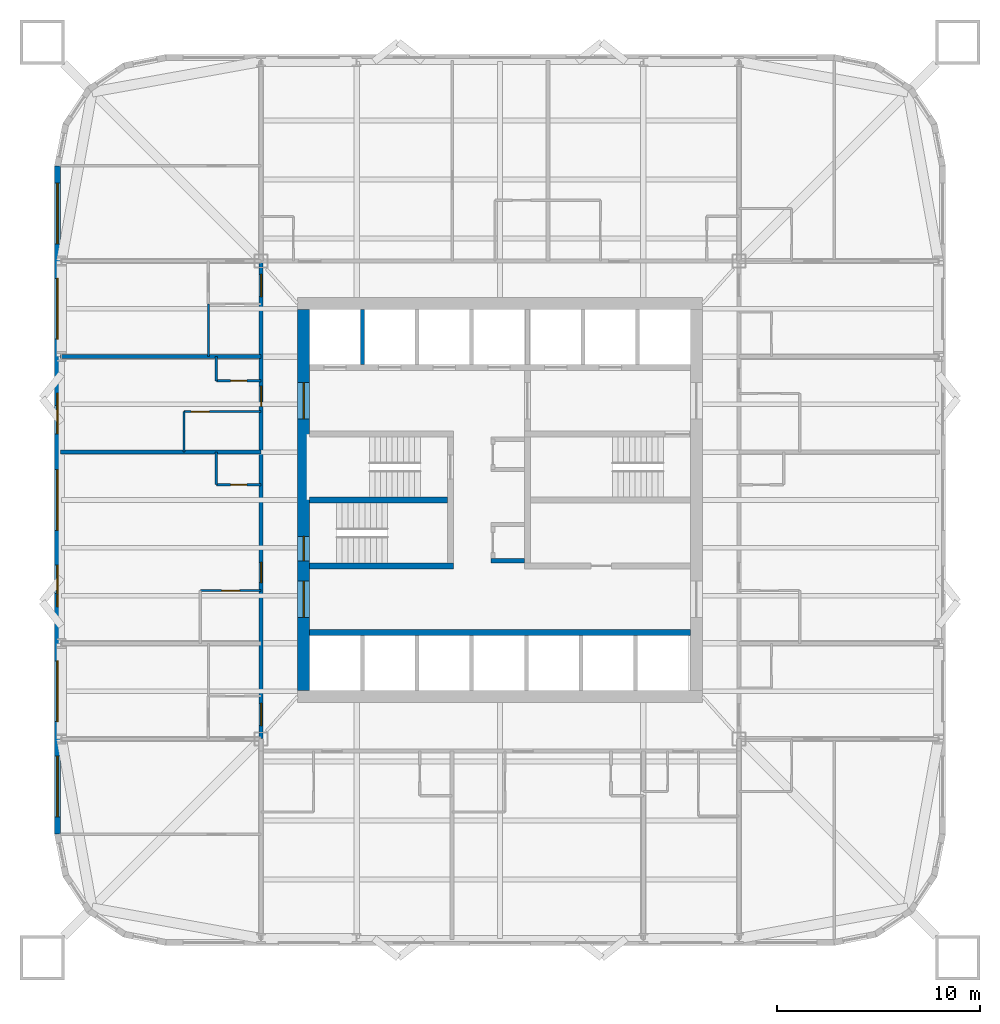
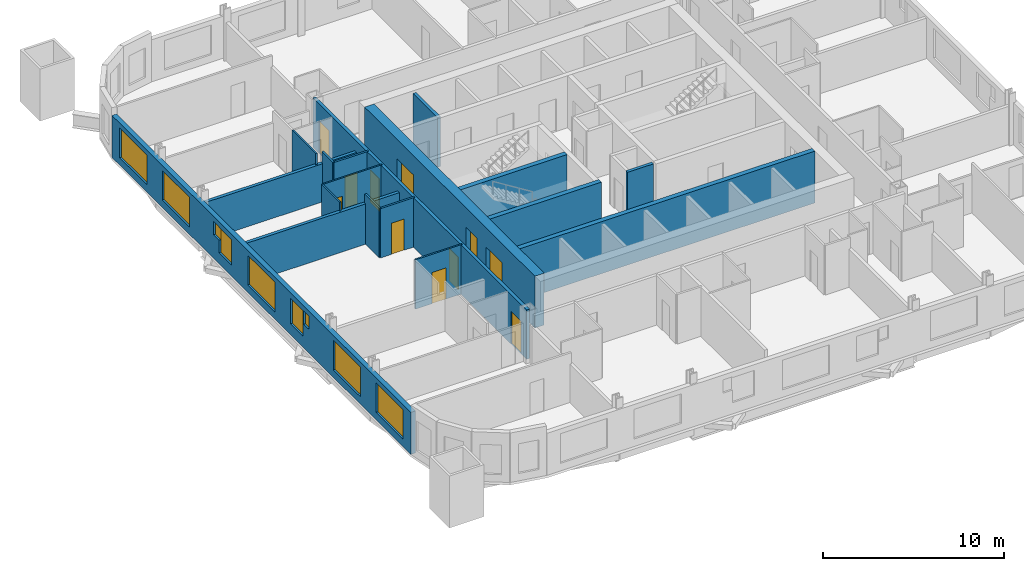
# One storey, part 4 of 10: 18 walls, 11 doors, 9 windows, 20 openings.
"""IFC4 building model written with IfcOpenShell, lengths in metres."""

from ifc_helpers import new_model, si_unit, direction, frame, frame_2d, origin, place, context, subcontext, project, spatial, rectangle, extrude, material, layer, layer_set, type_object, element, fill, save


model = new_model("IFC4")

# Units and contexts
model_context = context("Model", 3, precision=1e-05, world=origin(), true_north=direction((0.0, 1.0)))
body_context = subcontext(model_context, "Body", "Model", "MODEL_VIEW")
ifc_project = project(units=[si_unit("LENGTHUNIT", "METRE"), si_unit("AREAUNIT", "SQUARE_METRE"), si_unit("VOLUMEUNIT", "CUBIC_METRE"), si_unit("PLANEANGLEUNIT", "RADIAN"), si_unit("MASSUNIT", "GRAM", prefix="KILO")], contexts=[model_context])

# Site, building, storey
site_placement = place(None, origin())
site = spatial("IfcSite", under=ifc_project, at=site_placement, CompositionType="ELEMENT")
building_placement = place(site_placement, origin())
building = spatial("IfcBuilding", under=site, at=building_placement, Name="Turquesa Mirador Hotel Tower", CompositionType="ELEMENT")
storey_placement = place(building_placement, frame((0.0, 0.0, 63.5)))
storey = spatial("IfcBuildingStorey", under=building, at=storey_placement, Name="L16", CompositionType="ELEMENT", Elevation=63.5)

# Wall, opening, door
ifc_material_1 = material(Name="Gypsum board on steel studs", Category="steel")
ifc_layer_1 = layer(ifc_material_1, 0.10009765625)
ifc_layer_set_1 = layer_set([ifc_layer_1], Name="BATHROOM WALL 100")
wall_type_1 = type_object("IfcWallType", Name="BATHROOM WALL 100", PredefinedType="PARTITIONING", material=ifc_layer_set_1)
wall_1_placement = place(storey_placement, frame((40.199951171875, 40.52001953125, 0.0), z_axis=(0.0, 0.0, 1.0), x_axis=(1.0, 0.0, 0.0)))
wall_1 = element("IfcWall", 1, at=wall_1_placement, inside=storey, type_object=wall_type_1, Name="Partition L16 013", PredefinedType="PARTITIONING", context=body_context, shape_type="SweptSolid", body=[
    extrude(rectangle(XDim=3.0, YDim=0.10009765625, at=frame_2d((1.5, 0.0))), origin(), (0.0, 0.0, 1.0), 3.330078125),
])
opening_1_placement = place(wall_1_placement, frame((1.050048828125, 0.0, 0.0)))
opening_1 = element("IfcOpeningElement", 2, at=opening_1_placement, cuts=wall_1, Name="Opening D02", PredefinedType="OPENING", context=body_context, shape_type="SweptSolid", body=[
    extrude(rectangle(XDim=0.89990234375, YDim=2.10009765625, at=frame_2d((0.449951171875, 1.050048828125))), frame((0.0, 0.06005859375, 0.0), z_axis=(0.0, -1.0, 0.0), x_axis=(1.0, 0.0, 0.0)), (0.0, 0.0, 1.0), 0.1201171875),
])
ifc_material_2 = material(Name="Timber veneered door", Category="wood")
door_type_1 = type_object("IfcDoorType", Name="DOOR 900X2100 EN-SUITE", OperationType="SINGLE_SWING_RIGHT", PredefinedType="DOOR", material=ifc_material_2)
door_1_placement = place(opening_1_placement, origin())
door_1 = element("IfcDoor", 3, at=door_1_placement, inside=storey, type_object=door_type_1, Name="Door 1608B", OperationType="SINGLE_SWING_RIGHT", OverallHeight=2.10009765625, OverallWidth=0.89990234375, PredefinedType="DOOR", context=body_context, shape_type="SweptSolid", body=[
    extrude(rectangle(XDim=0.89990234375, YDim=2.10009765625, at=frame_2d((0.449951171875, 1.050048828125))), frame((0.0, 0.02490234375, 0.0), z_axis=(0.0, -1.0, 0.0), x_axis=(1.0, 0.0, 0.0)), (0.0, 0.0, 1.0), 0.050048828125),
])
fill(opening_1, door_1)

wall_2_placement = place(storey_placement, frame((39.39990234375, 49.360107421875, 0.0), z_axis=(0.0, 0.0, 1.0), x_axis=(1.0, 0.0, 0.0)))
wall_2 = element("IfcWall", 4, at=wall_2_placement, inside=storey, type_object=wall_type_1, Name="Partition L16 032", PredefinedType="PARTITIONING", context=body_context, shape_type="SweptSolid", body=[
    extrude(rectangle(XDim=3.800048828125, YDim=0.10009765625, at=frame_2d((1.89990234375, 0.0))), origin(), (0.0, 0.0, 1.0), 3.330078125),
])
opening_2_placement = place(wall_2_placement, frame((0.35009765625, 0.0, 0.0)))
opening_2 = element("IfcOpeningElement", 5, at=opening_2_placement, cuts=wall_2, Name="Opening D02", PredefinedType="OPENING", context=body_context, shape_type="SweptSolid", body=[
    extrude(rectangle(XDim=0.89990234375, YDim=2.10009765625, at=frame_2d((0.449951171875, 1.050048828125))), frame((0.0, 0.06005859375, 0.0), z_axis=(0.0, -1.0, 0.0), x_axis=(1.0, 0.0, 0.0)), (0.0, 0.0, 1.0), 0.1201171875),
])
door_2_placement = place(opening_2_placement, origin())
door_2 = element("IfcDoor", 6, at=door_2_placement, inside=storey, type_object=door_type_1, Name="Door 1609B", OperationType="SINGLE_SWING_RIGHT", OverallHeight=2.10009765625, OverallWidth=0.89990234375, PredefinedType="DOOR", context=body_context, shape_type="SweptSolid", body=[
    extrude(rectangle(XDim=0.89990234375, YDim=2.10009765625, at=frame_2d((0.449951171875, 1.050048828125))), frame((0.0, 0.02490234375, 0.0), z_axis=(0.0, -1.0, 0.0), x_axis=(1.0, 0.0, 0.0)), (0.0, 0.0, 1.0), 0.050048828125),
])
fill(opening_2, door_2)

# Walls
wall_3_placement = place(storey_placement, frame((40.60009765625, 52.080078125, 0.0), z_axis=(0.0, 0.0, 1.0), x_axis=(0.0, 1.0, 0.0)))
element("IfcWall", 7, at=wall_3_placement, inside=storey, type_object=wall_type_1, Name="Partition L16 047", PredefinedType="PARTITIONING", context=body_context, shape_type="SweptSolid", body=[
    extrude(rectangle(XDim=2.599853515625, YDim=0.10009765625, at=frame_2d((1.2998046875, 0.0))), origin(), (0.0, 0.0, 1.0), 3.330078125),
])
wall_4_placement = place(storey_placement, frame((39.39990234375, 47.360107421875, 0.0), z_axis=(0.0, 0.0, 1.0), x_axis=(0.0, 1.0, 0.0)))
element("IfcWall", 8, at=wall_4_placement, inside=storey, type_object=wall_type_1, Name="Partition L16 051", PredefinedType="PARTITIONING", context=body_context, shape_type="SweptSolid", body=[
    extrude(rectangle(XDim=2.0, YDim=0.10009765625, at=frame_2d((1.0, 0.0))), origin(), (0.0, 0.0, 1.0), 3.330078125),
])
ifc_material_3 = material(Name="Concrete C50/60", Category="concrete")
ifc_layer_2 = layer(ifc_material_3, 0.300048828125)
ifc_layer_set_2 = layer_set([ifc_layer_2], Name="CORE INNER WALL 300")
wall_type_2 = type_object("IfcWallType", Name="CORE INNER WALL 300", PredefinedType="SHEAR", material=ifc_layer_set_2)
wall_5_placement = place(storey_placement, frame((45.60009765625, 38.449951171875, 0.0), z_axis=(0.0, 0.0, 1.0), x_axis=(1.0, 0.0, 0.0)))
element("IfcWall", 9, at=wall_5_placement, inside=storey, type_object=wall_type_2, Name="Core wall SL", PredefinedType="SHEAR", context=body_context, shape_type="SweptSolid", body=[
    extrude(rectangle(XDim=18.7998046875, YDim=0.300048828125, at=frame_2d((9.39990234375, 0.0))), origin(), (0.0, 0.0, 1.0), 3.5),
])
wall_6_placement = place(storey_placement, frame((45.60009765625, 41.75, 0.0), z_axis=(0.0, 0.0, 1.0), x_axis=(1.0, 0.0, 0.0)))
element("IfcWall", 10, at=wall_6_placement, inside=storey, type_object=wall_type_2, Name="Core wall MS-W", PredefinedType="SHEAR", context=body_context, shape_type="SweptSolid", body=[
    extrude(rectangle(XDim=7.099853515625, YDim=0.300048828125, at=frame_2d((3.5498046875, 0.0))), origin(), (0.0, 0.0, 1.0), 3.5),
])
wall_7_placement = place(storey_placement, frame((45.60009765625, 45.0, 0.0), z_axis=(0.0, 0.0, 1.0), x_axis=(1.0, 0.0, 0.0)))
element("IfcWall", 11, at=wall_7_placement, inside=storey, type_object=wall_type_2, Name="Core wall M0-W", PredefinedType="SHEAR", context=body_context, shape_type="SweptSolid", body=[
    extrude(rectangle(XDim=6.7998046875, YDim=0.300048828125, at=frame_2d((3.39990234375, 0.0))), origin(), (0.0, 0.0, 1.0), 3.5),
])

# Wall, openings, doors
ifc_material_4 = material(Name="Concrete C50/60", Category="concrete")
ifc_layer_3 = layer(ifc_material_4, 0.60009765625)
ifc_layer_set_3 = layer_set([ifc_layer_3], Name="CORE WALL 600")
wall_type_3 = type_object("IfcWallType", Name="CORE WALL 600", PredefinedType="SHEAR", material=ifc_layer_set_3)
wall_8_placement = place(storey_placement, frame((45.300048828125, 35.60009765625, 0.0), z_axis=(0.0, 0.0, 1.0), x_axis=(0.0, 1.0, 0.0)))
wall_8 = element("IfcWall", 12, at=wall_8_placement, inside=storey, type_object=wall_type_3, Name="Core wall W", PredefinedType="SHEAR", context=body_context, shape_type="SweptSolid", body=[
    extrude(rectangle(XDim=18.7998046875, YDim=0.60009765625, at=frame_2d((9.39990234375, 0.0))), origin(), (0.0, 0.0, 1.0), 3.5),
])
opening_3_placement = place(wall_8_placement, frame((13.39990234375, 0.0, 0.0)))
opening_3 = element("IfcOpeningElement", 13, at=opening_3_placement, cuts=wall_8, Name="Opening D04", PredefinedType="OPENING", context=body_context, shape_type="SweptSolid", body=[
    extrude(rectangle(XDim=1.800048828125, YDim=2.199951171875, at=frame_2d((0.89990234375, 1.10009765625))), frame((0.0, 0.31005859375, 0.0), z_axis=(0.0, -1.0, 0.0), x_axis=(1.0, 0.0, 0.0)), (0.0, 0.0, 1.0), 0.6201171875),
])
opening_4_placement = place(wall_8_placement, frame((3.60009765625, 0.0, 0.0)))
opening_4 = element("IfcOpeningElement", 14, at=opening_4_placement, cuts=wall_8, Name="Opening D04", PredefinedType="OPENING", context=body_context, shape_type="SweptSolid", body=[
    extrude(rectangle(XDim=1.800048828125, YDim=2.199951171875, at=frame_2d((0.89990234375, 1.10009765625))), frame((0.0, 0.31005859375, 0.0), z_axis=(0.0, -1.0, 0.0), x_axis=(1.0, 0.0, 0.0)), (0.0, 0.0, 1.0), 0.6201171875),
])
opening_5_placement = place(wall_8_placement, frame((6.39990234375, 0.0, 0.0)))
opening_5 = element("IfcOpeningElement", 15, at=opening_5_placement, cuts=wall_8, Name="Opening D03", PredefinedType="OPENING", context=body_context, shape_type="SweptSolid", body=[
    extrude(rectangle(XDim=1.199951171875, YDim=2.199951171875, at=frame_2d((0.60009765625, 1.10009765625))), frame((0.0, 0.31005859375, 0.0), z_axis=(0.0, -1.0, 0.0), x_axis=(1.0, 0.0, 0.0)), (0.0, 0.0, 1.0), 0.6201171875),
])
ifc_material_5 = material(Name="Steel fire door", Category="steel")
door_type_2 = type_object("IfcDoorType", Name="DOOR 1200X2200 STAIR", OperationType="SINGLE_SWING_LEFT", PredefinedType="DOOR", material=ifc_material_5)
door_3_placement = place(opening_5_placement, origin())
door_3 = element("IfcDoor", 16, at=door_3_placement, inside=storey, type_object=door_type_2, Name="Stair ST2 door", OperationType="SINGLE_SWING_LEFT", OverallHeight=2.199951171875, OverallWidth=1.199951171875, PredefinedType="DOOR", context=body_context, shape_type="SweptSolid", body=[
    extrude(rectangle(XDim=1.199951171875, YDim=2.199951171875, at=frame_2d((0.60009765625, 1.10009765625))), frame((0.0, 0.02490234375, 0.0), z_axis=(0.0, -1.0, 0.0), x_axis=(1.0, 0.0, 0.0)), (0.0, 0.0, 1.0), 0.050048828125),
])
fill(opening_5, door_3)
ifc_material_6 = material(Name="Steel fire door pair", Category="steel")
door_type_3 = type_object("IfcDoorType", Name="DOOR 1800X2200 PAIR", OperationType="DOUBLE_DOOR_SINGLE_SWING", PredefinedType="DOOR", material=ifc_material_6)
door_4_placement = place(opening_3_placement, origin())
door_4 = element("IfcDoor", 17, at=door_4_placement, inside=storey, type_object=door_type_3, Name="North lift lobby door", OperationType="DOUBLE_DOOR_SINGLE_SWING", OverallHeight=2.199951171875, OverallWidth=1.800048828125, PredefinedType="DOOR", context=body_context, shape_type="SweptSolid", body=[
    extrude(rectangle(XDim=1.800048828125, YDim=2.199951171875, at=frame_2d((0.89990234375, 1.10009765625))), frame((0.0, 0.02490234375, 0.0), z_axis=(0.0, -1.0, 0.0), x_axis=(1.0, 0.0, 0.0)), (0.0, 0.0, 1.0), 0.050048828125),
])
fill(opening_3, door_4)
door_5_placement = place(opening_4_placement, origin())
door_5 = element("IfcDoor", 18, at=door_5_placement, inside=storey, type_object=door_type_3, Name="South lift lobby door", OperationType="DOUBLE_DOOR_SINGLE_SWING", OverallHeight=2.199951171875, OverallWidth=1.800048828125, PredefinedType="DOOR", context=body_context, shape_type="SweptSolid", body=[
    extrude(rectangle(XDim=1.800048828125, YDim=2.199951171875, at=frame_2d((0.89990234375, 1.10009765625))), frame((0.0, 0.02490234375, 0.0), z_axis=(0.0, -1.0, 0.0), x_axis=(1.0, 0.0, 0.0)), (0.0, 0.0, 1.0), 0.050048828125),
])
fill(opening_4, door_5)

ifc_material_7 = material(Name="Fire-rated gypsum board on steel studs", Category="steel")
ifc_layer_4 = layer(ifc_material_7, 0.199951171875)
ifc_layer_set_4 = layer_set([ifc_layer_4], Name="CORRIDOR WALL 200")
wall_type_4 = type_object("IfcWallType", Name="CORRIDOR WALL 200", PredefinedType="PARTITIONING", material=ifc_layer_set_4)
wall_9_placement = place(storey_placement, frame((43.199951171875, 33.219970703125, 0.0), z_axis=(0.0, 0.0, 1.0), x_axis=(0.0, 1.0, 0.0)))
wall_9 = element("IfcWall", 19, at=wall_9_placement, inside=storey, type_object=wall_type_4, Name="Partition L16 041", PredefinedType="PARTITIONING", context=body_context, shape_type="SweptSolid", body=[
    extrude(rectangle(XDim=23.580078125, YDim=0.199951171875, at=frame_2d((11.7900390625, 0.0))), origin(), (0.0, 0.0, 1.0), 3.330078125),
])
opening_6_placement = place(wall_9_placement, frame((7.699951171875, 0.0, 0.0)))
opening_6 = element("IfcOpeningElement", 20, at=opening_6_placement, cuts=wall_9, Name="Opening D01", PredefinedType="OPENING", context=body_context, shape_type="SweptSolid", body=[
    extrude(rectangle(XDim=1.0, YDim=2.199951171875, at=frame_2d((0.5, 1.10009765625))), frame((0.0, 0.10986328125, 0.0), z_axis=(0.0, -1.0, 0.0), x_axis=(1.0, 0.0, 0.0)), (0.0, 0.0, 1.0), 0.219970703125),
])
opening_7_placement = place(wall_9_placement, frame((16.39990234375, 0.0, 0.0)))
opening_7 = element("IfcOpeningElement", 21, at=opening_7_placement, cuts=wall_9, Name="Opening D01", PredefinedType="OPENING", context=body_context, shape_type="SweptSolid", body=[
    extrude(rectangle(XDim=1.0, YDim=2.199951171875, at=frame_2d((0.5, 1.10009765625))), frame((0.0, 0.10986328125, 0.0), z_axis=(0.0, -1.0, 0.0), x_axis=(1.0, 0.0, 0.0)), (0.0, 0.0, 1.0), 0.219970703125),
])
opening_8_placement = place(wall_9_placement, frame((21.820068359375, 0.0, 0.0)))
opening_8 = element("IfcOpeningElement", 22, at=opening_8_placement, cuts=wall_9, Name="Opening D15", PredefinedType="OPENING", context=body_context, shape_type="SweptSolid", body=[
    extrude(rectangle(XDim=1.10009765625, YDim=2.199951171875, at=frame_2d((0.550048828125, 1.10009765625))), frame((0.0, 0.10986328125, 0.0), z_axis=(0.0, -1.0, 0.0), x_axis=(1.0, 0.0, 0.0)), (0.0, 0.0, 1.0), 0.219970703125),
])
opening_9_placement = place(wall_9_placement, frame((0.639892578125, 0.0, 0.0)))
opening_9 = element("IfcOpeningElement", 23, at=opening_9_placement, cuts=wall_9, Name="Opening D15", PredefinedType="OPENING", context=body_context, shape_type="SweptSolid", body=[
    extrude(rectangle(XDim=1.10009765625, YDim=2.199951171875, at=frame_2d((0.550048828125, 1.10009765625))), frame((0.0, 0.10986328125, 0.0), z_axis=(0.0, -1.0, 0.0), x_axis=(1.0, 0.0, 0.0)), (0.0, 0.0, 1.0), 0.219970703125),
])
ifc_material_8 = material(Name="Timber veneered fire door", Category="wood")
door_type_4 = type_object("IfcDoorType", Name="DOOR 1000X2200 GUEST ENTRY", OperationType="SINGLE_SWING_LEFT", PredefinedType="DOOR", material=ifc_material_8)
door_6_placement = place(opening_6_placement, origin())
door_6 = element("IfcDoor", 24, at=door_6_placement, inside=storey, type_object=door_type_4, Name="Door 1608", OperationType="SINGLE_SWING_LEFT", OverallHeight=2.199951171875, OverallWidth=1.0, PredefinedType="DOOR", context=body_context, shape_type="SweptSolid", body=[
    extrude(rectangle(XDim=1.0, YDim=2.199951171875, at=frame_2d((0.5, 1.10009765625))), frame((0.0, 0.02490234375, 0.0), z_axis=(0.0, -1.0, 0.0), x_axis=(1.0, 0.0, 0.0)), (0.0, 0.0, 1.0), 0.050048828125),
])
fill(opening_6, door_6)
door_7_placement = place(opening_7_placement, origin())
door_7 = element("IfcDoor", 25, at=door_7_placement, inside=storey, type_object=door_type_4, Name="Door 1609", OperationType="SINGLE_SWING_LEFT", OverallHeight=2.199951171875, OverallWidth=1.0, PredefinedType="DOOR", context=body_context, shape_type="SweptSolid", body=[
    extrude(rectangle(XDim=1.0, YDim=2.199951171875, at=frame_2d((0.5, 1.10009765625))), frame((0.0, 0.02490234375, 0.0), z_axis=(0.0, -1.0, 0.0), x_axis=(1.0, 0.0, 0.0)), (0.0, 0.0, 1.0), 0.050048828125),
])
fill(opening_7, door_7)
ifc_material_9 = material(Name="Timber veneered fire door", Category="wood")
door_type_5 = type_object("IfcDoorType", Name="DOOR 1100X2200 SUITE ENTRY", OperationType="SINGLE_SWING_LEFT", PredefinedType="DOOR", material=ifc_material_9)
door_8_placement = place(opening_8_placement, origin())
door_8 = element("IfcDoor", 26, at=door_8_placement, inside=storey, type_object=door_type_5, Name="Door 1611H", OperationType="SINGLE_SWING_LEFT", OverallHeight=2.199951171875, OverallWidth=1.10009765625, PredefinedType="DOOR", context=body_context, shape_type="SweptSolid", body=[
    extrude(rectangle(XDim=1.10009765625, YDim=2.199951171875, at=frame_2d((0.550048828125, 1.10009765625))), frame((0.0, 0.02490234375, 0.0), z_axis=(0.0, -1.0, 0.0), x_axis=(1.0, 0.0, 0.0)), (0.0, 0.0, 1.0), 0.050048828125),
])
fill(opening_8, door_8)
door_9_placement = place(opening_9_placement, origin())
door_9 = element("IfcDoor", 27, at=door_9_placement, inside=storey, type_object=door_type_5, Name="Door 1612H", OperationType="SINGLE_SWING_LEFT", OverallHeight=2.199951171875, OverallWidth=1.10009765625, PredefinedType="DOOR", context=body_context, shape_type="SweptSolid", body=[
    extrude(rectangle(XDim=1.10009765625, YDim=2.199951171875, at=frame_2d((0.550048828125, 1.10009765625))), frame((0.0, 0.02490234375, 0.0), z_axis=(0.0, -1.0, 0.0), x_axis=(1.0, 0.0, 0.0)), (0.0, 0.0, 1.0), 0.050048828125),
])
fill(opening_9, door_9)

# Wall, openings, windows
ifc_material_10 = material(Name="Limestone cladding on concrete block", Category="masonry")
ifc_layer_5 = layer(ifc_material_10, 0.300048828125)
ifc_layer_set_5 = layer_set([ifc_layer_5], Name="FACADE WALL 300 STONE SCREEN")
wall_type_5 = type_object("IfcWallType", Name="FACADE WALL 300 STONE SCREEN", PredefinedType="SOLIDWALL", material=ifc_layer_set_5)
wall_10_placement = place(storey_placement, frame((33.14990234375, 61.5, 0.0), z_axis=(0.0, 0.0, 1.0), x_axis=(0.0, -1.0, 0.0)))
wall_10 = element("IfcWall", 28, at=wall_10_placement, inside=storey, type_object=wall_type_5, Name="Facade wall L16 14", PredefinedType="SOLIDWALL", context=body_context, shape_type="SweptSolid", body=[
    extrude(rectangle(XDim=33.0, YDim=0.300048828125, at=frame_2d((16.5, 0.0))), origin(), (0.0, 0.0, 1.0), 2.830078125),
])
opening_10_placement = place(wall_10_placement, frame((0.85009765625, 0.0, 0.5)))
opening_10 = element("IfcOpeningElement", 29, at=opening_10_placement, cuts=wall_10, Name="Opening WN1", PredefinedType="OPENING", context=body_context, shape_type="SweptSolid", body=[
    extrude(rectangle(XDim=3.0, YDim=2.0, at=frame_2d((1.5, 1.0))), frame((0.0, 0.159912109375, 0.0), z_axis=(0.0, -1.0, 0.0), x_axis=(1.0, 0.0, 0.0)), (0.0, 0.0, 1.0), 0.320068359375),
])
opening_11_placement = place(wall_10_placement, frame((5.56005859375, 0.0, 0.5)))
opening_11 = element("IfcOpeningElement", 30, at=opening_11_placement, cuts=wall_10, Name="Opening WN1", PredefinedType="OPENING", context=body_context, shape_type="SweptSolid", body=[
    extrude(rectangle(XDim=3.0, YDim=2.0, at=frame_2d((1.5, 1.0))), frame((0.0, 0.159912109375, 0.0), z_axis=(0.0, -1.0, 0.0), x_axis=(1.0, 0.0, 0.0)), (0.0, 0.0, 1.0), 0.320068359375),
])
opening_12_placement = place(wall_10_placement, frame((11.830078125, 0.0, 0.75)))
opening_12 = element("IfcOpeningElement", 31, at=opening_12_placement, cuts=wall_10, Name="Opening WN43", PredefinedType="OPENING", context=body_context, shape_type="SweptSolid", body=[
    extrude(rectangle(XDim=1.39990234375, YDim=1.699951171875, at=frame_2d((0.699951171875, 0.85009765625))), frame((0.0, 0.159912109375, 0.0), z_axis=(0.0, -1.0, 0.0), x_axis=(1.0, 0.0, 0.0)), (0.0, 0.0, 1.0), 0.320068359375),
])
opening_13_placement = place(wall_10_placement, frame((15.0, 0.0, 0.5)))
opening_13 = element("IfcOpeningElement", 32, at=opening_13_placement, cuts=wall_10, Name="Opening WN1", PredefinedType="OPENING", context=body_context, shape_type="SweptSolid", body=[
    extrude(rectangle(XDim=3.0, YDim=2.0, at=frame_2d((1.5, 1.0))), frame((0.0, 0.159912109375, 0.0), z_axis=(0.0, -1.0, 0.0), x_axis=(1.0, 0.0, 0.0)), (0.0, 0.0, 1.0), 0.320068359375),
])
opening_14_placement = place(wall_10_placement, frame((19.719970703125, 0.0, 0.75)))
opening_14 = element("IfcOpeningElement", 33, at=opening_14_placement, cuts=wall_10, Name="Opening WN43", PredefinedType="OPENING", context=body_context, shape_type="SweptSolid", body=[
    extrude(rectangle(XDim=1.39990234375, YDim=1.699951171875, at=frame_2d((0.699951171875, 0.85009765625))), frame((0.0, 0.159912109375, 0.0), z_axis=(0.0, -1.0, 0.0), x_axis=(1.0, 0.0, 0.0)), (0.0, 0.0, 1.0), 0.320068359375),
])
opening_15_placement = place(wall_10_placement, frame((24.43994140625, 0.0, 0.5)))
opening_15 = element("IfcOpeningElement", 34, at=opening_15_placement, cuts=wall_10, Name="Opening WN1", PredefinedType="OPENING", context=body_context, shape_type="SweptSolid", body=[
    extrude(rectangle(XDim=3.0, YDim=2.0, at=frame_2d((1.5, 1.0))), frame((0.0, 0.159912109375, 0.0), z_axis=(0.0, -1.0, 0.0), x_axis=(1.0, 0.0, 0.0)), (0.0, 0.0, 1.0), 0.320068359375),
])
opening_16_placement = place(wall_10_placement, frame((29.14990234375, 0.0, 0.5)))
opening_16 = element("IfcOpeningElement", 35, at=opening_16_placement, cuts=wall_10, Name="Opening WN1", PredefinedType="OPENING", context=body_context, shape_type="SweptSolid", body=[
    extrude(rectangle(XDim=3.0, YDim=2.0, at=frame_2d((1.5, 1.0))), frame((0.0, 0.159912109375, 0.0), z_axis=(0.0, -1.0, 0.0), x_axis=(1.0, 0.0, 0.0)), (0.0, 0.0, 1.0), 0.320068359375),
])
opening_17_placement = place(wall_10_placement, frame((11.22998046875, 0.0, 1.60009765625)))
opening_17 = element("IfcOpeningElement", 36, at=opening_17_placement, cuts=wall_10, Name="Opening WN25", PredefinedType="OPENING", context=body_context, shape_type="SweptSolid", body=[
    extrude(rectangle(XDim=0.60009765625, YDim=0.89990234375, at=frame_2d((0.300048828125, 0.449951171875))), frame((0.0, 0.159912109375, 0.0), z_axis=(0.0, -1.0, 0.0), x_axis=(1.0, 0.0, 0.0)), (0.0, 0.0, 1.0), 0.320068359375),
])
opening_18_placement = place(wall_10_placement, frame((21.169921875, 0.0, 1.60009765625)))
opening_18 = element("IfcOpeningElement", 37, at=opening_18_placement, cuts=wall_10, Name="Opening WN25", PredefinedType="OPENING", context=body_context, shape_type="SweptSolid", body=[
    extrude(rectangle(XDim=0.60009765625, YDim=0.89990234375, at=frame_2d((0.300048828125, 0.449951171875))), frame((0.0, 0.159912109375, 0.0), z_axis=(0.0, -1.0, 0.0), x_axis=(1.0, 0.0, 0.0)), (0.0, 0.0, 1.0), 0.320068359375),
])
ifc_material_11 = material(Name="Ceramic-fritted laminated glass", Category="glass")
window_type_1 = type_object("IfcWindowType", Name="FRITTED WINDOW 1400X1700", PartitioningType="DOUBLE_PANEL_HORIZONTAL", PredefinedType="WINDOW", material=ifc_material_11)
window_1_placement = place(opening_12_placement, origin())
window_1 = element("IfcWindow", 38, at=window_1_placement, inside=storey, type_object=window_type_1, Name="Window L16", OverallHeight=1.699951171875, OverallWidth=1.39990234375, PartitioningType="SINGLE_PANEL", PredefinedType="WINDOW", context=body_context, shape_type="SweptSolid", body=[
    extrude(rectangle(XDim=1.39990234375, YDim=1.699951171875, at=frame_2d((0.699951171875, 0.85009765625))), frame((0.0, 0.030029296875, 0.0), z_axis=(0.0, -1.0, 0.0), x_axis=(1.0, 0.0, 0.0)), (0.0, 0.0, 1.0), 0.06005859375),
])
fill(opening_12, window_1)
window_2_placement = place(opening_14_placement, origin())
window_2 = element("IfcWindow", 39, at=window_2_placement, inside=storey, type_object=window_type_1, Name="Window L16", OverallHeight=1.699951171875, OverallWidth=1.39990234375, PartitioningType="SINGLE_PANEL", PredefinedType="WINDOW", context=body_context, shape_type="SweptSolid", body=[
    extrude(rectangle(XDim=1.39990234375, YDim=1.699951171875, at=frame_2d((0.699951171875, 0.85009765625))), frame((0.0, 0.030029296875, 0.0), z_axis=(0.0, -1.0, 0.0), x_axis=(1.0, 0.0, 0.0)), (0.0, 0.0, 1.0), 0.06005859375),
])
fill(opening_14, window_2)
ifc_material_12 = material(Name="Ceramic-fritted laminated glass", Category="glass")
window_type_2 = type_object("IfcWindowType", Name="FRITTED WINDOW 3000X2000", PartitioningType="DOUBLE_PANEL_HORIZONTAL", PredefinedType="WINDOW", material=ifc_material_12)
window_3_placement = place(opening_10_placement, origin())
window_3 = element("IfcWindow", 40, at=window_3_placement, inside=storey, type_object=window_type_2, Name="Window L16", OverallHeight=2.0, OverallWidth=3.0, PartitioningType="SINGLE_PANEL", PredefinedType="WINDOW", context=body_context, shape_type="SweptSolid", body=[
    extrude(rectangle(XDim=3.0, YDim=2.0, at=frame_2d((1.5, 1.0))), frame((0.0, 0.030029296875, 0.0), z_axis=(0.0, -1.0, 0.0), x_axis=(1.0, 0.0, 0.0)), (0.0, 0.0, 1.0), 0.06005859375),
])
fill(opening_10, window_3)
window_4_placement = place(opening_11_placement, origin())
window_4 = element("IfcWindow", 41, at=window_4_placement, inside=storey, type_object=window_type_2, Name="Window L16", OverallHeight=2.0, OverallWidth=3.0, PartitioningType="SINGLE_PANEL", PredefinedType="WINDOW", context=body_context, shape_type="SweptSolid", body=[
    extrude(rectangle(XDim=3.0, YDim=2.0, at=frame_2d((1.5, 1.0))), frame((0.0, 0.030029296875, 0.0), z_axis=(0.0, -1.0, 0.0), x_axis=(1.0, 0.0, 0.0)), (0.0, 0.0, 1.0), 0.06005859375),
])
fill(opening_11, window_4)
window_5_placement = place(opening_13_placement, origin())
window_5 = element("IfcWindow", 42, at=window_5_placement, inside=storey, type_object=window_type_2, Name="Window L16", OverallHeight=2.0, OverallWidth=3.0, PartitioningType="SINGLE_PANEL", PredefinedType="WINDOW", context=body_context, shape_type="SweptSolid", body=[
    extrude(rectangle(XDim=3.0, YDim=2.0, at=frame_2d((1.5, 1.0))), frame((0.0, 0.030029296875, 0.0), z_axis=(0.0, -1.0, 0.0), x_axis=(1.0, 0.0, 0.0)), (0.0, 0.0, 1.0), 0.06005859375),
])
fill(opening_13, window_5)
window_6_placement = place(opening_15_placement, origin())
window_6 = element("IfcWindow", 43, at=window_6_placement, inside=storey, type_object=window_type_2, Name="Window L16", OverallHeight=2.0, OverallWidth=3.0, PartitioningType="SINGLE_PANEL", PredefinedType="WINDOW", context=body_context, shape_type="SweptSolid", body=[
    extrude(rectangle(XDim=3.0, YDim=2.0, at=frame_2d((1.5, 1.0))), frame((0.0, 0.030029296875, 0.0), z_axis=(0.0, -1.0, 0.0), x_axis=(1.0, 0.0, 0.0)), (0.0, 0.0, 1.0), 0.06005859375),
])
fill(opening_15, window_6)
window_7_placement = place(opening_16_placement, origin())
window_7 = element("IfcWindow", 44, at=window_7_placement, inside=storey, type_object=window_type_2, Name="Window L16", OverallHeight=2.0, OverallWidth=3.0, PartitioningType="SINGLE_PANEL", PredefinedType="WINDOW", context=body_context, shape_type="SweptSolid", body=[
    extrude(rectangle(XDim=3.0, YDim=2.0, at=frame_2d((1.5, 1.0))), frame((0.0, 0.030029296875, 0.0), z_axis=(0.0, -1.0, 0.0), x_axis=(1.0, 0.0, 0.0)), (0.0, 0.0, 1.0), 0.06005859375),
])
fill(opening_16, window_7)
ifc_material_13 = material(Name="Ceramic-fritted laminated glass", Category="glass")
window_type_3 = type_object("IfcWindowType", Name="FRITTED WINDOW 600X900", PartitioningType="DOUBLE_PANEL_HORIZONTAL", PredefinedType="WINDOW", material=ifc_material_13)
window_8_placement = place(opening_17_placement, origin())
window_8 = element("IfcWindow", 45, at=window_8_placement, inside=storey, type_object=window_type_3, Name="Window L16", OverallHeight=0.89990234375, OverallWidth=0.60009765625, PartitioningType="SINGLE_PANEL", PredefinedType="WINDOW", context=body_context, shape_type="SweptSolid", body=[
    extrude(rectangle(XDim=0.60009765625, YDim=0.89990234375, at=frame_2d((0.300048828125, 0.449951171875))), frame((0.0, 0.030029296875, 0.0), z_axis=(0.0, -1.0, 0.0), x_axis=(1.0, 0.0, 0.0)), (0.0, 0.0, 1.0), 0.06005859375),
])
fill(opening_17, window_8)
window_9_placement = place(opening_18_placement, origin())
window_9 = element("IfcWindow", 46, at=window_9_placement, inside=storey, type_object=window_type_3, Name="Window L16", OverallHeight=0.89990234375, OverallWidth=0.60009765625, PartitioningType="SINGLE_PANEL", PredefinedType="WINDOW", context=body_context, shape_type="SweptSolid", body=[
    extrude(rectangle(XDim=0.60009765625, YDim=0.89990234375, at=frame_2d((0.300048828125, 0.449951171875))), frame((0.0, 0.030029296875, 0.0), z_axis=(0.0, -1.0, 0.0), x_axis=(1.0, 0.0, 0.0)), (0.0, 0.0, 1.0), 0.06005859375),
])
fill(opening_18, window_9)

# Walls
ifc_material_14 = material(Name="Fire-rated gypsum board on steel studs", Category="steel")
ifc_layer_6 = layer(ifc_material_14, 0.199951171875)
ifc_layer_set_6 = layer_set([ifc_layer_6], Name="FIRE PARTITION 200")
wall_type_6 = type_object("IfcWallType", Name="FIRE PARTITION 200", PredefinedType="PARTITIONING", material=ifc_layer_set_6)
wall_11_placement = place(storey_placement, frame((54.550048828125, 42.0, 0.0), z_axis=(0.0, 0.0, 1.0), x_axis=(1.0, 0.0, 0.0)))
element("IfcWall", 47, at=wall_11_placement, inside=storey, type_object=wall_type_6, Name="Partition L16 CM S", PredefinedType="PARTITIONING", context=body_context, shape_type="SweptSolid", body=[
    extrude(rectangle(XDim=1.64990234375, YDim=0.199951171875, at=frame_2d((0.824951171875, 0.0))), origin(), (0.0, 0.0, 1.0), 3.330078125),
])
ifc_material_15 = material(Name="Fire-rated gypsum shaft wall on steel studs", Category="steel")
ifc_layer_7 = layer(ifc_material_15, 0.199951171875)
ifc_layer_set_7 = layer_set([ifc_layer_7], Name="LIFT SHAFT DIVIDER 200")
wall_type_7 = type_object("IfcWallType", Name="LIFT SHAFT DIVIDER 200", PredefinedType="PARTITIONING", material=ifc_layer_set_7)
wall_12_placement = place(storey_placement, frame((48.199951171875, 51.699951171875, 0.0), z_axis=(0.0, 0.0, 1.0), x_axis=(0.0, 1.0, 0.0)))
element("IfcWall", 48, at=wall_12_placement, inside=storey, type_object=wall_type_7, Name="Lift shaft divider", PredefinedType="PARTITIONING", context=body_context, shape_type="SweptSolid", body=[
    extrude(rectangle(XDim=2.699951171875, YDim=0.199951171875, at=frame_2d((1.35009765625, 0.0))), origin(), (0.0, 0.0, 1.0), 3.330078125),
])
ifc_material_16 = material(Name="Fire-rated gypsum board on steel studs", Category="steel")
ifc_layer_8 = layer(ifc_material_16, 0.199951171875)
ifc_layer_set_8 = layer_set([ifc_layer_8], Name="PARTY WALL 200")
wall_type_8 = type_object("IfcWallType", Name="PARTY WALL 200", PredefinedType="PARTITIONING", material=ifc_layer_set_8)
wall_13_placement = place(storey_placement, frame((33.300048828125, 47.360107421875, 0.0), z_axis=(0.0, 0.0, 1.0), x_axis=(1.0, 0.0, 0.0)))
element("IfcWall", 49, at=wall_13_placement, inside=storey, type_object=wall_type_8, Name="Partition L16 030", PredefinedType="PARTITIONING", context=body_context, shape_type="SweptSolid", body=[
    extrude(rectangle(XDim=9.89990234375, YDim=0.199951171875, at=frame_2d((4.949951171875, 0.0))), origin(), (0.0, 0.0, 1.0), 2.722900390625),
])
wall_14_placement = place(storey_placement, frame((33.300048828125, 52.080078125, 0.0), z_axis=(0.0, 0.0, 1.0), x_axis=(1.0, 0.0, 0.0)))
element("IfcWall", 50, at=wall_14_placement, inside=storey, type_object=wall_type_8, Name="Partition L16 035", PredefinedType="PARTITIONING", context=body_context, shape_type="SweptSolid", body=[
    extrude(rectangle(XDim=9.89990234375, YDim=0.199951171875, at=frame_2d((4.949951171875, 0.0))), origin(), (0.0, 0.0, 1.0), 2.572998046875),
])

# Wall, opening, door
ifc_material_17 = material(Name="Acoustic gypsum board on steel studs", Category="steel")
ifc_layer_9 = layer(ifc_material_17, 0.125)
ifc_layer_set_9 = layer_set([ifc_layer_9], Name="SUITE PARTITION 125")
wall_type_9 = type_object("IfcWallType", Name="SUITE PARTITION 125", PredefinedType="PARTITIONING", material=ifc_layer_set_9)
wall_15_placement = place(storey_placement, frame((41.0, 45.760009765625, 0.0), z_axis=(0.0, 0.0, 1.0), x_axis=(1.0, 0.0, 0.0)))
wall_15 = element("IfcWall", 51, at=wall_15_placement, inside=storey, type_object=wall_type_9, Name="Partition L16 019", PredefinedType="PARTITIONING", context=body_context, shape_type="SweptSolid", body=[
    extrude(rectangle(XDim=2.199951171875, YDim=0.125, at=frame_2d((1.10009765625, 0.0))), origin(), (0.0, 0.0, 1.0), 3.330078125),
])
opening_19_placement = place(wall_15_placement, frame((0.699951171875, 0.0, 0.0)))
opening_19 = element("IfcOpeningElement", 52, at=opening_19_placement, cuts=wall_15, Name="Opening D20", PredefinedType="OPENING", context=body_context, shape_type="SweptSolid", body=[
    extrude(rectangle(XDim=0.800048828125, YDim=2.10009765625, at=frame_2d((0.39990234375, 1.050048828125))), frame((0.0, 0.072509765625, 0.0), z_axis=(0.0, -1.0, 0.0), x_axis=(1.0, 0.0, 0.0)), (0.0, 0.0, 1.0), 0.14501953125),
])
ifc_material_18 = material(Name="Timber veneered sliding door", Category="wood")
door_type_6 = type_object("IfcDoorType", Name="DOOR 800X2100 WARDROBE", OperationType="SLIDING_TO_LEFT", PredefinedType="DOOR", material=ifc_material_18)
door_10_placement = place(opening_19_placement, origin())
door_10 = element("IfcDoor", 53, at=door_10_placement, inside=storey, type_object=door_type_6, Name="Door 1608W", OperationType="SLIDING_TO_LEFT", OverallHeight=2.10009765625, OverallWidth=0.800048828125, PredefinedType="DOOR", context=body_context, shape_type="SweptSolid", body=[
    extrude(rectangle(XDim=0.800048828125, YDim=2.10009765625, at=frame_2d((0.39990234375, 1.050048828125))), frame((0.0, 0.02490234375, 0.0), z_axis=(0.0, -1.0, 0.0), x_axis=(1.0, 0.0, 0.0)), (0.0, 0.0, 1.0), 0.050048828125),
])
fill(opening_19, door_10)

wall_16_placement = place(storey_placement, frame((41.0, 50.8798828125, 0.0), z_axis=(0.0, 0.0, 1.0), x_axis=(1.0, 0.0, 0.0)))
wall_16 = element("IfcWall", 54, at=wall_16_placement, inside=storey, type_object=wall_type_9, Name="Partition L16 034", PredefinedType="PARTITIONING", context=body_context, shape_type="SweptSolid", body=[
    extrude(rectangle(XDim=2.199951171875, YDim=0.125, at=frame_2d((1.10009765625, 0.0))), origin(), (0.0, 0.0, 1.0), 3.330078125),
])
opening_20_placement = place(wall_16_placement, frame((0.699951171875, 0.0, 0.0)))
opening_20 = element("IfcOpeningElement", 55, at=opening_20_placement, cuts=wall_16, Name="Opening D20", PredefinedType="OPENING", context=body_context, shape_type="SweptSolid", body=[
    extrude(rectangle(XDim=0.800048828125, YDim=2.10009765625, at=frame_2d((0.39990234375, 1.050048828125))), frame((0.0, 0.072509765625, 0.0), z_axis=(0.0, -1.0, 0.0), x_axis=(1.0, 0.0, 0.0)), (0.0, 0.0, 1.0), 0.14501953125),
])
door_11_placement = place(opening_20_placement, origin())
door_11 = element("IfcDoor", 56, at=door_11_placement, inside=storey, type_object=door_type_6, Name="Door 1609W", OperationType="SLIDING_TO_LEFT", OverallHeight=2.10009765625, OverallWidth=0.800048828125, PredefinedType="DOOR", context=body_context, shape_type="SweptSolid", body=[
    extrude(rectangle(XDim=0.800048828125, YDim=2.10009765625, at=frame_2d((0.39990234375, 1.050048828125))), frame((0.0, 0.02490234375, 0.0), z_axis=(0.0, -1.0, 0.0), x_axis=(1.0, 0.0, 0.0)), (0.0, 0.0, 1.0), 0.050048828125),
])
fill(opening_20, door_11)

# Walls
wall_17_placement = place(storey_placement, frame((41.0, 45.760009765625, 0.0), z_axis=(0.0, 0.0, 1.0), x_axis=(0.0, 1.0, 0.0)))
element("IfcWall", 57, at=wall_17_placement, inside=storey, type_object=wall_type_9, Name="Partition L16 044", PredefinedType="PARTITIONING", context=body_context, shape_type="SweptSolid", body=[
    extrude(rectangle(XDim=1.60009765625, YDim=0.125, at=frame_2d((0.800048828125, 0.0))), origin(), (0.0, 0.0, 1.0), 3.330078125),
])
wall_18_placement = place(storey_placement, frame((41.0, 50.8798828125, 0.0), z_axis=(0.0, 0.0, 1.0), x_axis=(0.0, 1.0, 0.0)))
element("IfcWall", 58, at=wall_18_placement, inside=storey, type_object=wall_type_9, Name="Partition L16 045", PredefinedType="PARTITIONING", context=body_context, shape_type="SweptSolid", body=[
    extrude(rectangle(XDim=1.2001953125, YDim=0.125, at=frame_2d((0.60009765625, 0.0))), origin(), (0.0, 0.0, 1.0), 3.330078125),
])

save(model, "model.ifc")
